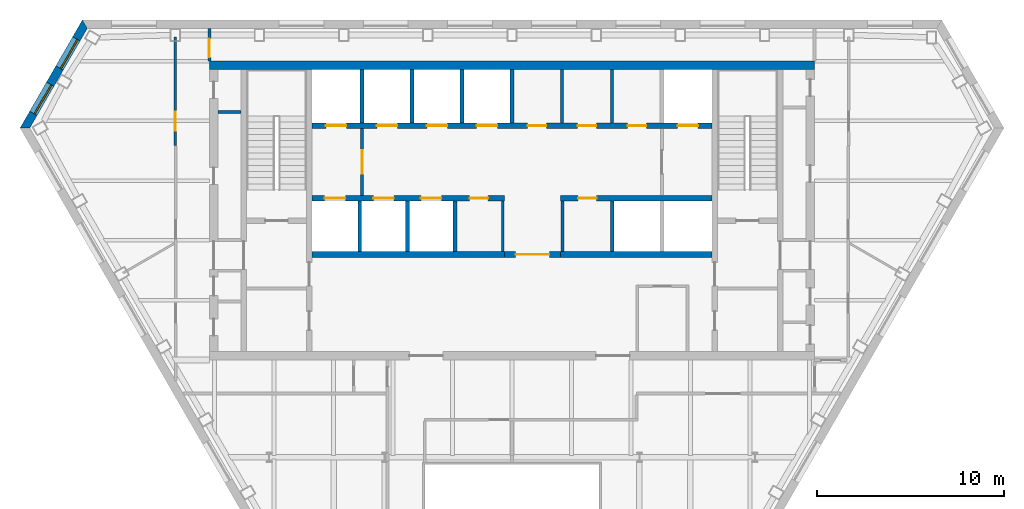
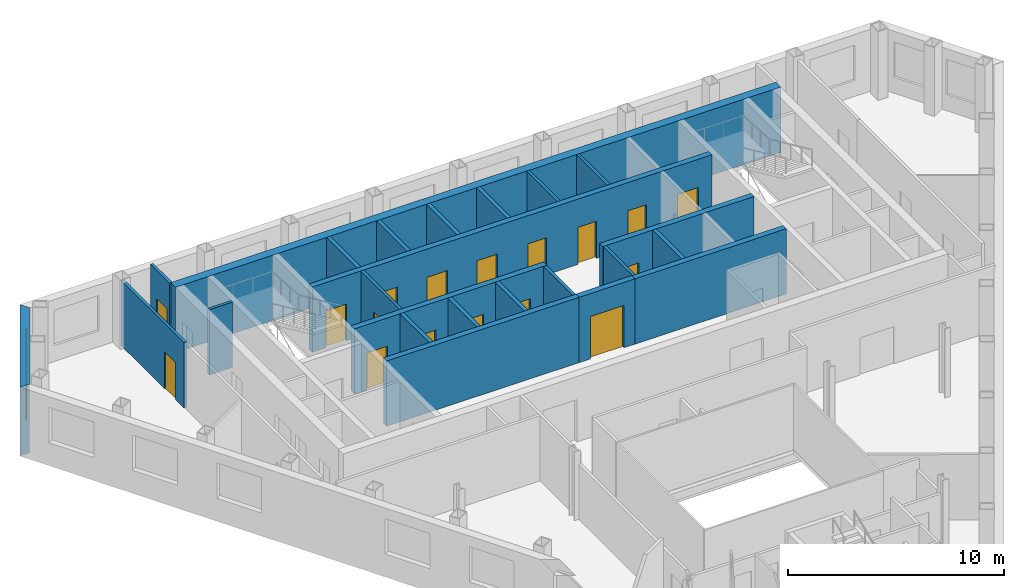
# One storey, part 6 of 10: 24 walls, 17 doors, 2 windows, 19 openings.
"""IFC4 building model written with IfcOpenShell, lengths in metres."""

from ifc_helpers import new_model, si_unit, direction, frame, frame_2d, origin, place, context, subcontext, project, spatial, polyline, rectangle, outline, extrude, material, layer, layer_set, type_object, element, fill, save


model = new_model("IFC4")

# Units and contexts
model_context = context("Model", 3, precision=1e-05, world=origin(), true_north=direction((0.0, 1.0)))
body_context = subcontext(model_context, "Body", "Model", "MODEL_VIEW")
ifc_project = project(units=[si_unit("LENGTHUNIT", "METRE"), si_unit("AREAUNIT", "SQUARE_METRE"), si_unit("VOLUMEUNIT", "CUBIC_METRE"), si_unit("PLANEANGLEUNIT", "RADIAN"), si_unit("MASSUNIT", "GRAM", prefix="KILO")], contexts=[model_context])

# Site, building, storey
site_placement = place(None, origin())
site = spatial("IfcSite", under=ifc_project, at=site_placement, CompositionType="ELEMENT")
building_placement = place(site_placement, origin())
building = spatial("IfcBuilding", under=site, at=building_placement, Name="Njiva Tower", CompositionType="ELEMENT")
storey_placement = place(building_placement, frame((0.0, 0.0, 231.6)))
storey = spatial("IfcBuildingStorey", under=building, at=storey_placement, Name="L52", CompositionType="ELEMENT", Elevation=231.6)

# Walls
ifc_material_1 = material(Name="Blockwork", Category="masonry")
ifc_layer_1 = layer(ifc_material_1, 0.15)
ifc_layer_set_1 = layer_set([ifc_layer_1], Name="Blockwork")
wall_type_1 = type_object("IfcWallType", Name="WT1 Compartment partition 150", PredefinedType="PARTITIONING", material=ifc_layer_set_1)
for number, where, z_axis, x_axis, name in (
    (1, (2.675, 14.7, 0.0), (0.0, 0.0, 1.0), (0.0, 1.0, 0.0), "Partition CN5"),
    (2, (5.35, 14.7, 0.0), (0.0, 0.0, 1.0), (0.0, 1.0, 0.0), "Partition CN6"),
):
    element("IfcWall", number, at=place(storey_placement, frame(where, z_axis=z_axis, x_axis=x_axis)), inside=storey, type_object=wall_type_1, Name=name, PredefinedType="PARTITIONING", context=body_context, shape_type="SweptSolid", body=[
        extrude(rectangle(XDim=2.85, YDim=0.15, at=frame_2d((1.425, 0.0))), origin(), (0.0, 0.0, 1.0), 3.7),
    ])
for number, where, z_axis, x_axis, name in (
    (3, (-0.5, 7.8, 0.0), (0.0, 0.0, 1.0), (0.0, 1.0, 0.0), "Partition CS4"),
    (4, (2.7, 7.8, 0.0), (0.0, 0.0, 1.0), (0.0, 1.0, 0.0), "Partition CS5"),
):
    element("IfcWall", number, at=place(storey_placement, frame(where, z_axis=z_axis, x_axis=x_axis)), inside=storey, type_object=wall_type_1, Name=name, PredefinedType="PARTITIONING", context=body_context, shape_type="SweptSolid", body=[
        extrude(rectangle(XDim=2.7, YDim=0.15, at=frame_2d((1.35, 0.0))), origin(), (0.0, 0.0, 1.0), 3.7),
    ])
ifc_material_2 = material(Name="Concrete C60/75", Category="concrete")
ifc_layer_2 = layer(ifc_material_2, 0.45)
ifc_layer_set_2 = layer_set([ifc_layer_2], Name="Concrete C60/75")
wall_type_2 = type_object("IfcWallType", Name="WT12 Core wall 450", PredefinedType="SHEAR", material=ifc_layer_set_2)
wall_1_placement = place(storey_placement, frame((-16.2, 17.775, 0.0), z_axis=(0.0, 0.0, 1.0), x_axis=(1.0, 0.0, 0.0)))
element("IfcWall", 5, at=wall_1_placement, inside=storey, type_object=wall_type_2, Name="Core wall north", PredefinedType="SHEAR", context=body_context, shape_type="SweptSolid", body=[
    extrude(rectangle(XDim=32.4, YDim=0.45, at=frame_2d((16.2, 0.0))), origin(), (0.0, 0.0, 1.0), 3.7),
])

# Wall, opening, door
ifc_layer_3 = layer(ifc_material_1, 0.15)
ifc_layer_set_3 = layer_set([ifc_layer_3], Name="Blockwork")
wall_type_3 = type_object("IfcWallType", Name="WT2 Lobby partition 150", PredefinedType="PARTITIONING", material=ifc_layer_set_3)
wall_2_placement = place(storey_placement, frame((-8.025, 10.8, 0.0), z_axis=(0.0, 0.0, 1.0), x_axis=(0.0, 1.0, 0.0)))
wall_2 = element("IfcWall", 6, at=wall_2_placement, inside=storey, type_object=wall_type_3, Name="Firefighting lobby wall A", PredefinedType="PARTITIONING", context=body_context, shape_type="SweptSolid", body=[
    extrude(rectangle(XDim=3.6, YDim=0.15, at=frame_2d((1.8, 0.0))), origin(), (0.0, 0.0, 1.0), 3.7),
])
opening_1_placement = place(wall_2_placement, frame((1.175, 0.0, 0.0)))
opening_1 = element("IfcOpeningElement", 7, at=opening_1_placement, cuts=wall_2, Name="Opening S17-D914", PredefinedType="OPENING", context=body_context, shape_type="SweptSolid", body=[
    extrude(rectangle(XDim=1.25, YDim=2.1, at=frame_2d((0.625, 1.05))), frame((0.0, 0.085, 0.0), z_axis=(0.0, -1.0, 0.0), x_axis=(1.0, 0.0, 0.0)), (0.0, 0.0, 1.0), 0.17),
])
ifc_material_3 = material(Name="Glazed steel fire door", Category="steel")
door_type_1 = type_object("IfcDoorType", Name="D8 Vestibule corridor door 1250x2100 glazed", OperationType="SINGLE_SWING_LEFT", PredefinedType="DOOR", material=ifc_material_3)
door_1_placement = place(opening_1_placement, origin())
door_1 = element("IfcDoor", 8, at=door_1_placement, inside=storey, type_object=door_type_1, Name="Stair vestibule corridor door", OperationType="SINGLE_SWING_RIGHT", OverallHeight=2.1, OverallWidth=1.25, PredefinedType="DOOR", context=body_context, shape_type="SweptSolid", body=[
    extrude(rectangle(XDim=1.25, YDim=2.1, at=frame_2d((0.625, 1.05))), frame((0.0, 0.025, 0.0), z_axis=(0.0, -1.0, 0.0), x_axis=(1.0, 0.0, 0.0)), (0.0, 0.0, 1.0), 0.05),
])
fill(opening_1, door_1)

ifc_material_4 = material(Name="Gypsum board on steel studs", Category="gypsum")
ifc_layer_4 = layer(ifc_material_4, 0.15)
ifc_layer_set_4 = layer_set([ifc_layer_4], Name="Gypsum board on steel studs")
wall_type_4 = type_object("IfcWallType", Name="WT21 Compartment wall 150", PredefinedType="PARTITIONING", material=ifc_layer_set_4)
wall_3_placement = place(storey_placement, frame((-18.027, 13.476, 0.0), z_axis=(0.0, 0.0, 1.0), x_axis=(0.0, 1.0, 0.0)))
wall_3 = element("IfcWall", 9, at=wall_3_placement, inside=storey, type_object=wall_type_4, Name="Partition S17-P002", PredefinedType="PARTITIONING", context=body_context, shape_type="SweptSolid", body=[
    extrude(rectangle(XDim=5.824, YDim=0.15, at=frame_2d((2.912, 0.0))), origin(), (0.0, 0.0, 1.0), 3.7),
])
opening_2_placement = place(wall_3_placement, frame((0.803, 0.0, 0.0)))
opening_2 = element("IfcOpeningElement", 10, at=opening_2_placement, cuts=wall_3, Name="Opening S17-D001", PredefinedType="OPENING", context=body_context, shape_type="SweptSolid", body=[
    extrude(rectangle(XDim=1.0, YDim=2.1, at=frame_2d((0.5, 1.05))), frame((0.0, 0.085, 0.0), z_axis=(0.0, -1.0, 0.0), x_axis=(1.0, 0.0, 0.0)), (0.0, 0.0, 1.0), 0.17),
])
ifc_material_5 = material(Name="Steel fire door set", Category="steel")
door_type_2 = type_object("IfcDoorType", Name="D37 Fire door 1000x2100", OperationType="SINGLE_SWING_LEFT", PredefinedType="DOOR", material=ifc_material_5)
door_2_placement = place(opening_2_placement, origin())
door_2 = element("IfcDoor", 11, at=door_2_placement, inside=storey, type_object=door_type_2, Name="Door S17-D001", OperationType="SINGLE_SWING_RIGHT", OverallHeight=2.1, OverallWidth=1.0, PredefinedType="DOOR", context=body_context, shape_type="SweptSolid", body=[
    extrude(rectangle(XDim=1.0, YDim=2.1, at=frame_2d((0.5, 1.05))), frame((0.0, 0.025, 0.0), z_axis=(0.0, -1.0, 0.0), x_axis=(1.0, 0.0, 0.0)), (0.0, 0.0, 1.0), 0.05),
])
fill(opening_2, door_2)

wall_4_placement = place(storey_placement, frame((-16.2, 18.0, 0.0), z_axis=(0.0, 0.0, 1.0), x_axis=(0.0, 1.0, 0.0)))
wall_4 = element("IfcWall", 12, at=wall_4_placement, inside=storey, type_object=wall_type_4, Name="Partition S17-P005", PredefinedType="PARTITIONING", context=body_context, shape_type="SweptSolid", body=[
    extrude(rectangle(XDim=1.75, YDim=0.15, at=frame_2d((0.875, 0.0))), origin(), (0.0, 0.0, 1.0), 3.7),
])
opening_3_placement = place(wall_4_placement, frame((0.2, 0.0, 0.0)))
opening_3 = element("IfcOpeningElement", 13, at=opening_3_placement, cuts=wall_4, Name="Opening S17-D004", PredefinedType="OPENING", context=body_context, shape_type="SweptSolid", body=[
    extrude(rectangle(XDim=1.0, YDim=2.1, at=frame_2d((0.5, 1.05))), frame((0.0, 0.085, 0.0), z_axis=(0.0, -1.0, 0.0), x_axis=(1.0, 0.0, 0.0)), (0.0, 0.0, 1.0), 0.17),
])
door_3_placement = place(opening_3_placement, origin())
door_3 = element("IfcDoor", 14, at=door_3_placement, inside=storey, type_object=door_type_2, Name="Door S17-D004", OperationType="SINGLE_SWING_LEFT", OverallHeight=2.1, OverallWidth=1.0, PredefinedType="DOOR", context=body_context, shape_type="SweptSolid", body=[
    extrude(rectangle(XDim=1.0, YDim=2.1, at=frame_2d((0.5, 1.05))), frame((0.0, 0.025, 0.0), z_axis=(0.0, -1.0, 0.0), x_axis=(1.0, 0.0, 0.0)), (0.0, 0.0, 1.0), 0.05),
])
fill(opening_3, door_3)

# Wall
ifc_layer_5 = layer(ifc_material_1, 0.15)
ifc_layer_set_5 = layer_set([ifc_layer_5], Name="Blockwork")
wall_type_5 = type_object("IfcWallType", Name="WT3 Riser partition 150", PredefinedType="PARTITIONING", material=ifc_layer_set_5)
wall_5_placement = place(storey_placement, frame((-15.75, 15.2772, 0.0), z_axis=(0.0, 0.0, 1.0), x_axis=(1.0, 0.0, 0.0)))
element("IfcWall", 15, at=wall_5_placement, inside=storey, type_object=wall_type_5, Name="Partition strip W10", PredefinedType="PARTITIONING", context=body_context, shape_type="SweptSolid", body=[
    extrude(rectangle(XDim=1.25, YDim=0.15, at=frame_2d((0.625, 0.0))), origin(), (0.0, 0.0, 1.0), 3.7),
])

# Wall, opening, door
ifc_layer_6 = layer(ifc_material_1, 0.3)
ifc_layer_set_6 = layer_set([ifc_layer_6], Name="Blockwork")
wall_type_6 = type_object("IfcWallType", Name="WT5 Lobby partition 300", PredefinedType="PARTITIONING", material=ifc_layer_set_6)
wall_6_placement = place(storey_placement, frame((-0.4, 7.65, 0.0), z_axis=(0.0, 0.0, 1.0), x_axis=(1.0, 0.0, 0.0)))
wall_6 = element("IfcWall", 16, at=wall_6_placement, inside=storey, type_object=wall_type_6, Name="Lift lobby screen wall", PredefinedType="PARTITIONING", context=body_context, shape_type="SweptSolid", body=[
    extrude(rectangle(XDim=3.0, YDim=0.3, at=frame_2d((1.5, 0.0))), origin(), (0.0, 0.0, 1.0), 3.7),
])
opening_4_placement = place(wall_6_placement, frame((0.6, 0.0, 0.0)))
opening_4 = element("IfcOpeningElement", 17, at=opening_4_placement, cuts=wall_6, Name="Opening S17-D935", PredefinedType="OPENING", context=body_context, shape_type="SweptSolid", body=[
    extrude(rectangle(XDim=1.8, YDim=2.4, at=frame_2d((0.9, 1.2))), frame((0.0, 0.16, 0.0), z_axis=(0.0, -1.0, 0.0), x_axis=(1.0, 0.0, 0.0)), (0.0, 0.0, 1.0), 0.32),
])
ifc_material_6 = material(Name="Steel and glass door", Category="steel")
door_type_3 = type_object("IfcDoorType", Name="D3 Core entrance door 1800x2400", OperationType="DOUBLE_DOOR_SINGLE_SWING", PredefinedType="DOOR", material=ifc_material_6)
door_4_placement = place(opening_4_placement, origin())
door_4 = element("IfcDoor", 18, at=door_4_placement, inside=storey, type_object=door_type_3, Name="Core entrance door", OperationType="DOUBLE_DOOR_SINGLE_SWING", OverallHeight=2.4, OverallWidth=1.8, PredefinedType="DOOR", context=body_context, shape_type="SweptSolid", body=[
    extrude(rectangle(XDim=1.8, YDim=2.4, at=frame_2d((0.9, 1.2))), frame((0.0, 0.025, 0.0), z_axis=(0.0, -1.0, 0.0), x_axis=(1.0, 0.0, 0.0)), (0.0, 0.0, 1.0), 0.05),
])
fill(opening_4, door_4)

# Walls
ifc_material_7 = material(Name="Concrete C40/50", Category="concrete")
ifc_layer_7 = layer(ifc_material_7, 0.2)
ifc_layer_set_7 = layer_set([ifc_layer_7], Name="Concrete C40/50")
wall_type_7 = type_object("IfcWallType", Name="WT6 Lift shaft wall 200", PredefinedType="SHEAR", material=ifc_layer_set_7)
for number, where, z_axis, x_axis, name in (
    (19, (-8.025, 14.7, 0.0), (0.0, 0.0, 1.0), (0.0, 1.0, 0.0), "Shaft wall CN1"),
    (20, (-5.35, 14.7, 0.0), (0.0, 0.0, 1.0), (0.0, 1.0, 0.0), "Shaft wall CN2"),
    (21, (-2.675, 14.7, 0.0), (0.0, 0.0, 1.0), (0.0, 1.0, 0.0), "Shaft wall CN3"),
    (22, (0.0, 14.7, 0.0), (0.0, 0.0, 1.0), (0.0, 1.0, 0.0), "Shaft wall CN4"),
):
    element("IfcWall", number, at=place(storey_placement, frame(where, z_axis=z_axis, x_axis=x_axis)), inside=storey, type_object=wall_type_7, Name=name, PredefinedType="SHEAR", context=body_context, shape_type="SweptSolid", body=[
        extrude(rectangle(XDim=2.85, YDim=0.2, at=frame_2d((1.425, 0.0))), origin(), (0.0, 0.0, 1.0), 3.7),
    ])
for number, where, z_axis, x_axis, name in (
    (23, (-8.15, 7.8, 0.0), (0.0, 0.0, 1.0), (0.0, 1.0, 0.0), "Shaft wall CS1"),
    (24, (-5.6, 7.8, 0.0), (0.0, 0.0, 1.0), (0.0, 1.0, 0.0), "Shaft wall CS2"),
    (25, (-3.05, 7.8, 0.0), (0.0, 0.0, 1.0), (0.0, 1.0, 0.0), "Shaft wall CS3"),
    (26, (5.3667, 7.8, 0.0), (0.0, 0.0, 1.0), (0.0, 1.0, 0.0), "Shaft wall CS6"),
):
    element("IfcWall", number, at=place(storey_placement, frame(where, z_axis=z_axis, x_axis=x_axis)), inside=storey, type_object=wall_type_7, Name=name, PredefinedType="SHEAR", context=body_context, shape_type="SweptSolid", body=[
        extrude(rectangle(XDim=2.7, YDim=0.2, at=frame_2d((1.35, 0.0))), origin(), (0.0, 0.0, 1.0), 3.7),
    ])

# Wall, openings, doors
ifc_layer_8 = layer(ifc_material_7, 0.3)
ifc_layer_set_8 = layer_set([ifc_layer_8], Name="Concrete C40/50")
wall_type_8 = type_object("IfcWallType", Name="WT7 Lift shaft wall 300", PredefinedType="SHEAR", material=ifc_layer_set_8)
wall_7_placement = place(storey_placement, frame((-10.7, 14.55, 0.0), z_axis=(0.0, 0.0, 1.0), x_axis=(1.0, 0.0, 0.0)))
wall_7 = element("IfcWall", 27, at=wall_7_placement, inside=storey, type_object=wall_type_8, Name="Shaft wall north row lobby side", PredefinedType="SHEAR", context=body_context, shape_type="SweptSolid", body=[
    extrude(rectangle(XDim=21.4, YDim=0.3, at=frame_2d((10.7, 0.0))), origin(), (0.0, 0.0, 1.0), 3.7),
])
opening_5_placement = place(wall_7_placement, frame((0.7375, 0.0, 0.0)))
opening_5 = element("IfcOpeningElement", 28, at=opening_5_placement, cuts=wall_7, Name="Opening S17-D901", PredefinedType="OPENING", context=body_context, shape_type="SweptSolid", body=[
    extrude(rectangle(XDim=1.1, YDim=2.1, at=frame_2d((0.55, 1.05))), frame((0.0, 0.16, 0.0), z_axis=(0.0, -1.0, 0.0), x_axis=(1.0, 0.0, 0.0)), (0.0, 0.0, 1.0), 0.32),
])
opening_6_placement = place(wall_7_placement, frame((3.4625, 0.0, 0.0)))
opening_6 = element("IfcOpeningElement", 29, at=opening_6_placement, cuts=wall_7, Name="Opening S17-D902", PredefinedType="OPENING", context=body_context, shape_type="SweptSolid", body=[
    extrude(rectangle(XDim=1.1, YDim=2.1, at=frame_2d((0.55, 1.05))), frame((0.0, 0.16, 0.0), z_axis=(0.0, -1.0, 0.0), x_axis=(1.0, 0.0, 0.0)), (0.0, 0.0, 1.0), 0.32),
])
opening_7_placement = place(wall_7_placement, frame((6.1375, 0.0, 0.0)))
opening_7 = element("IfcOpeningElement", 30, at=opening_7_placement, cuts=wall_7, Name="Opening S17-D903", PredefinedType="OPENING", context=body_context, shape_type="SweptSolid", body=[
    extrude(rectangle(XDim=1.1, YDim=2.1, at=frame_2d((0.55, 1.05))), frame((0.0, 0.16, 0.0), z_axis=(0.0, -1.0, 0.0), x_axis=(1.0, 0.0, 0.0)), (0.0, 0.0, 1.0), 0.32),
])
opening_8_placement = place(wall_7_placement, frame((8.8125, 0.0, 0.0)))
opening_8 = element("IfcOpeningElement", 31, at=opening_8_placement, cuts=wall_7, Name="Opening S17-D904", PredefinedType="OPENING", context=body_context, shape_type="SweptSolid", body=[
    extrude(rectangle(XDim=1.1, YDim=2.1, at=frame_2d((0.55, 1.05))), frame((0.0, 0.16, 0.0), z_axis=(0.0, -1.0, 0.0), x_axis=(1.0, 0.0, 0.0)), (0.0, 0.0, 1.0), 0.32),
])
opening_9_placement = place(wall_7_placement, frame((19.5625, 0.0, 0.0)))
opening_9 = element("IfcOpeningElement", 32, at=opening_9_placement, cuts=wall_7, Name="Opening S17-D905", PredefinedType="OPENING", context=body_context, shape_type="SweptSolid", body=[
    extrude(rectangle(XDim=1.1, YDim=2.1, at=frame_2d((0.55, 1.05))), frame((0.0, 0.16, 0.0), z_axis=(0.0, -1.0, 0.0), x_axis=(1.0, 0.0, 0.0)), (0.0, 0.0, 1.0), 0.32),
])
opening_10_placement = place(wall_7_placement, frame((11.5375, 0.0, 0.0)))
opening_10 = element("IfcOpeningElement", 33, at=opening_10_placement, cuts=wall_7, Name="Opening S17-D909", PredefinedType="OPENING", context=body_context, shape_type="SweptSolid", body=[
    extrude(rectangle(XDim=1.0, YDim=2.1, at=frame_2d((0.5, 1.05))), frame((0.0, 0.16, 0.0), z_axis=(0.0, -1.0, 0.0), x_axis=(1.0, 0.0, 0.0)), (0.0, 0.0, 1.0), 0.32),
])
opening_11_placement = place(wall_7_placement, frame((14.2125, 0.0, 0.0)))
opening_11 = element("IfcOpeningElement", 34, at=opening_11_placement, cuts=wall_7, Name="Opening S17-D910", PredefinedType="OPENING", context=body_context, shape_type="SweptSolid", body=[
    extrude(rectangle(XDim=1.0, YDim=2.1, at=frame_2d((0.5, 1.05))), frame((0.0, 0.16, 0.0), z_axis=(0.0, -1.0, 0.0), x_axis=(1.0, 0.0, 0.0)), (0.0, 0.0, 1.0), 0.32),
])
opening_12_placement = place(wall_7_placement, frame((16.8875, 0.0, 0.0)))
opening_12 = element("IfcOpeningElement", 35, at=opening_12_placement, cuts=wall_7, Name="Opening S17-D911", PredefinedType="OPENING", context=body_context, shape_type="SweptSolid", body=[
    extrude(rectangle(XDim=1.0, YDim=2.1, at=frame_2d((0.5, 1.05))), frame((0.0, 0.16, 0.0), z_axis=(0.0, -1.0, 0.0), x_axis=(1.0, 0.0, 0.0)), (0.0, 0.0, 1.0), 0.32),
])
ifc_material_8 = material(Name="Steel door, painted", Category="steel")
door_type_4 = type_object("IfcDoorType", Name="D5 Steel door 1000x2100", OperationType="SINGLE_SWING_LEFT", PredefinedType="DOOR", material=ifc_material_8)
door_5_placement = place(opening_10_placement, origin())
door_5 = element("IfcDoor", 36, at=door_5_placement, inside=storey, type_object=door_type_4, Name="Business centre door", OperationType="SINGLE_SWING_LEFT", OverallHeight=2.1, OverallWidth=1.0, PredefinedType="DOOR", context=body_context, shape_type="SweptSolid", body=[
    extrude(rectangle(XDim=1.0, YDim=2.1, at=frame_2d((0.5, 1.05))), frame((0.0, 0.025, 0.0), z_axis=(0.0, -1.0, 0.0), x_axis=(1.0, 0.0, 0.0)), (0.0, 0.0, 1.0), 0.05),
])
fill(opening_10, door_5)
door_6_placement = place(opening_11_placement, origin())
door_6 = element("IfcDoor", 37, at=door_6_placement, inside=storey, type_object=door_type_4, Name="Meeting room door", OperationType="SINGLE_SWING_LEFT", OverallHeight=2.1, OverallWidth=1.0, PredefinedType="DOOR", context=body_context, shape_type="SweptSolid", body=[
    extrude(rectangle(XDim=1.0, YDim=2.1, at=frame_2d((0.5, 1.05))), frame((0.0, 0.025, 0.0), z_axis=(0.0, -1.0, 0.0), x_axis=(1.0, 0.0, 0.0)), (0.0, 0.0, 1.0), 0.05),
])
fill(opening_11, door_6)
door_7_placement = place(opening_12_placement, origin())
door_7 = element("IfcDoor", 38, at=door_7_placement, inside=storey, type_object=door_type_4, Name="Breakout room door", OperationType="SINGLE_SWING_LEFT", OverallHeight=2.1, OverallWidth=1.0, PredefinedType="DOOR", context=body_context, shape_type="SweptSolid", body=[
    extrude(rectangle(XDim=1.0, YDim=2.1, at=frame_2d((0.5, 1.05))), frame((0.0, 0.025, 0.0), z_axis=(0.0, -1.0, 0.0), x_axis=(1.0, 0.0, 0.0)), (0.0, 0.0, 1.0), 0.05),
])
fill(opening_12, door_7)
ifc_material_9 = material(Name="Stainless steel sliding door", Category="steel")
door_type_5 = type_object("IfcDoorType", Name="LD Lift landing door 1100x2100", OperationType="SLIDING_TO_LEFT", PredefinedType="DOOR", material=ifc_material_9)
door_8_placement = place(opening_5_placement, origin())
door_8 = element("IfcDoor", 39, at=door_8_placement, inside=storey, type_object=door_type_5, Name="Lift landing door FF1", OperationType="SLIDING_TO_LEFT", OverallHeight=2.1, OverallWidth=1.1, PredefinedType="DOOR", context=body_context, shape_type="SweptSolid", body=[
    extrude(rectangle(XDim=1.1, YDim=2.1, at=frame_2d((0.55, 1.05))), frame((0.0, 0.025, 0.0), z_axis=(0.0, -1.0, 0.0), x_axis=(1.0, 0.0, 0.0)), (0.0, 0.0, 1.0), 0.05),
])
fill(opening_5, door_8)
door_9_placement = place(opening_6_placement, origin())
door_9 = element("IfcDoor", 40, at=door_9_placement, inside=storey, type_object=door_type_5, Name="Lift landing door MB4", OperationType="SLIDING_TO_LEFT", OverallHeight=2.1, OverallWidth=1.1, PredefinedType="DOOR", context=body_context, shape_type="SweptSolid", body=[
    extrude(rectangle(XDim=1.1, YDim=2.1, at=frame_2d((0.55, 1.05))), frame((0.0, 0.025, 0.0), z_axis=(0.0, -1.0, 0.0), x_axis=(1.0, 0.0, 0.0)), (0.0, 0.0, 1.0), 0.05),
])
fill(opening_6, door_9)
door_10_placement = place(opening_7_placement, origin())
door_10 = element("IfcDoor", 41, at=door_10_placement, inside=storey, type_object=door_type_5, Name="Lift landing door MB5", OperationType="SLIDING_TO_LEFT", OverallHeight=2.1, OverallWidth=1.1, PredefinedType="DOOR", context=body_context, shape_type="SweptSolid", body=[
    extrude(rectangle(XDim=1.1, YDim=2.1, at=frame_2d((0.55, 1.05))), frame((0.0, 0.025, 0.0), z_axis=(0.0, -1.0, 0.0), x_axis=(1.0, 0.0, 0.0)), (0.0, 0.0, 1.0), 0.05),
])
fill(opening_7, door_10)
door_11_placement = place(opening_8_placement, origin())
door_11 = element("IfcDoor", 42, at=door_11_placement, inside=storey, type_object=door_type_5, Name="Lift landing door MB6", OperationType="SLIDING_TO_LEFT", OverallHeight=2.1, OverallWidth=1.1, PredefinedType="DOOR", context=body_context, shape_type="SweptSolid", body=[
    extrude(rectangle(XDim=1.1, YDim=2.1, at=frame_2d((0.55, 1.05))), frame((0.0, 0.025, 0.0), z_axis=(0.0, -1.0, 0.0), x_axis=(1.0, 0.0, 0.0)), (0.0, 0.0, 1.0), 0.05),
])
fill(opening_8, door_11)
door_12_placement = place(opening_9_placement, origin())
door_12 = element("IfcDoor", 43, at=door_12_placement, inside=storey, type_object=door_type_5, Name="Lift landing door FF2", OperationType="SLIDING_TO_LEFT", OverallHeight=2.1, OverallWidth=1.1, PredefinedType="DOOR", context=body_context, shape_type="SweptSolid", body=[
    extrude(rectangle(XDim=1.1, YDim=2.1, at=frame_2d((0.55, 1.05))), frame((0.0, 0.025, 0.0), z_axis=(0.0, -1.0, 0.0), x_axis=(1.0, 0.0, 0.0)), (0.0, 0.0, 1.0), 0.05),
])
fill(opening_9, door_12)

wall_8_placement = place(storey_placement, frame((-10.7, 10.65, 0.0), z_axis=(0.0, 0.0, 1.0), x_axis=(1.0, 0.0, 0.0)))
wall_8 = element("IfcWall", 44, at=wall_8_placement, inside=storey, type_object=wall_type_8, Name="Shaft wall south row lobby side W", PredefinedType="SHEAR", context=body_context, shape_type="SweptSolid", body=[
    extrude(rectangle(XDim=10.3, YDim=0.3, at=frame_2d((5.15, 0.0))), origin(), (0.0, 0.0, 1.0), 3.7),
])
opening_13_placement = place(wall_8_placement, frame((0.675, 0.0, 0.0)))
opening_13 = element("IfcOpeningElement", 45, at=opening_13_placement, cuts=wall_8, Name="Opening S17-D906", PredefinedType="OPENING", context=body_context, shape_type="SweptSolid", body=[
    extrude(rectangle(XDim=1.1, YDim=2.1, at=frame_2d((0.55, 1.05))), frame((0.0, 0.16, 0.0), z_axis=(0.0, -1.0, 0.0), x_axis=(1.0, 0.0, 0.0)), (0.0, 0.0, 1.0), 0.32),
])
opening_14_placement = place(wall_8_placement, frame((3.275, 0.0, 0.0)))
opening_14 = element("IfcOpeningElement", 46, at=opening_14_placement, cuts=wall_8, Name="Opening S17-D907", PredefinedType="OPENING", context=body_context, shape_type="SweptSolid", body=[
    extrude(rectangle(XDim=1.1, YDim=2.1, at=frame_2d((0.55, 1.05))), frame((0.0, 0.16, 0.0), z_axis=(0.0, -1.0, 0.0), x_axis=(1.0, 0.0, 0.0)), (0.0, 0.0, 1.0), 0.32),
])
opening_15_placement = place(wall_8_placement, frame((5.825, 0.0, 0.0)))
opening_15 = element("IfcOpeningElement", 47, at=opening_15_placement, cuts=wall_8, Name="Opening S17-D908", PredefinedType="OPENING", context=body_context, shape_type="SweptSolid", body=[
    extrude(rectangle(XDim=1.1, YDim=2.1, at=frame_2d((0.55, 1.05))), frame((0.0, 0.16, 0.0), z_axis=(0.0, -1.0, 0.0), x_axis=(1.0, 0.0, 0.0)), (0.0, 0.0, 1.0), 0.32),
])
opening_16_placement = place(wall_8_placement, frame((8.425, 0.0, 0.0)))
opening_16 = element("IfcOpeningElement", 48, at=opening_16_placement, cuts=wall_8, Name="Opening S17-D912", PredefinedType="OPENING", context=body_context, shape_type="SweptSolid", body=[
    extrude(rectangle(XDim=1.0, YDim=2.1, at=frame_2d((0.5, 1.05))), frame((0.0, 0.16, 0.0), z_axis=(0.0, -1.0, 0.0), x_axis=(1.0, 0.0, 0.0)), (0.0, 0.0, 1.0), 0.32),
])
door_13_placement = place(opening_16_placement, origin())
door_13 = element("IfcDoor", 49, at=door_13_placement, inside=storey, type_object=door_type_4, Name="Breakout room door", OperationType="SINGLE_SWING_RIGHT", OverallHeight=2.1, OverallWidth=1.0, PredefinedType="DOOR", context=body_context, shape_type="SweptSolid", body=[
    extrude(rectangle(XDim=1.0, YDim=2.1, at=frame_2d((0.5, 1.05))), frame((0.0, 0.025, 0.0), z_axis=(0.0, -1.0, 0.0), x_axis=(1.0, 0.0, 0.0)), (0.0, 0.0, 1.0), 0.05),
])
fill(opening_16, door_13)
door_14_placement = place(opening_13_placement, origin())
door_14 = element("IfcDoor", 50, at=door_14_placement, inside=storey, type_object=door_type_5, Name="Lift landing door MB1", OperationType="SLIDING_TO_LEFT", OverallHeight=2.1, OverallWidth=1.1, PredefinedType="DOOR", context=body_context, shape_type="SweptSolid", body=[
    extrude(rectangle(XDim=1.1, YDim=2.1, at=frame_2d((0.55, 1.05))), frame((0.0, 0.025, 0.0), z_axis=(0.0, -1.0, 0.0), x_axis=(1.0, 0.0, 0.0)), (0.0, 0.0, 1.0), 0.05),
])
fill(opening_13, door_14)
door_15_placement = place(opening_14_placement, origin())
door_15 = element("IfcDoor", 51, at=door_15_placement, inside=storey, type_object=door_type_5, Name="Lift landing door MB2", OperationType="SLIDING_TO_LEFT", OverallHeight=2.1, OverallWidth=1.1, PredefinedType="DOOR", context=body_context, shape_type="SweptSolid", body=[
    extrude(rectangle(XDim=1.1, YDim=2.1, at=frame_2d((0.55, 1.05))), frame((0.0, 0.025, 0.0), z_axis=(0.0, -1.0, 0.0), x_axis=(1.0, 0.0, 0.0)), (0.0, 0.0, 1.0), 0.05),
])
fill(opening_14, door_15)
door_16_placement = place(opening_15_placement, origin())
door_16 = element("IfcDoor", 52, at=door_16_placement, inside=storey, type_object=door_type_5, Name="Lift landing door MB3", OperationType="SLIDING_TO_LEFT", OverallHeight=2.1, OverallWidth=1.1, PredefinedType="DOOR", context=body_context, shape_type="SweptSolid", body=[
    extrude(rectangle(XDim=1.1, YDim=2.1, at=frame_2d((0.55, 1.05))), frame((0.0, 0.025, 0.0), z_axis=(0.0, -1.0, 0.0), x_axis=(1.0, 0.0, 0.0)), (0.0, 0.0, 1.0), 0.05),
])
fill(opening_15, door_16)

# Wall
wall_9_placement = place(storey_placement, frame((-10.7, 7.65, 0.0), z_axis=(0.0, 0.0, 1.0), x_axis=(1.0, 0.0, 0.0)))
element("IfcWall", 53, at=wall_9_placement, inside=storey, type_object=wall_type_8, Name="Shaft wall south row back W", PredefinedType="SHEAR", context=body_context, shape_type="SweptSolid", body=[
    extrude(rectangle(XDim=10.3, YDim=0.3, at=frame_2d((5.15, 0.0))), origin(), (0.0, 0.0, 1.0), 3.7),
])

# Wall, opening, door
wall_10_placement = place(storey_placement, frame((2.6, 10.65, 0.0), z_axis=(0.0, 0.0, 1.0), x_axis=(1.0, 0.0, 0.0)))
wall_10 = element("IfcWall", 54, at=wall_10_placement, inside=storey, type_object=wall_type_8, Name="Shaft wall south row lobby side E", PredefinedType="SHEAR", context=body_context, shape_type="SweptSolid", body=[
    extrude(rectangle(XDim=8.1, YDim=0.3, at=frame_2d((4.05, 0.0))), origin(), (0.0, 0.0, 1.0), 3.7),
])
opening_17_placement = place(wall_10_placement, frame((0.9334, 0.0, 0.0)))
opening_17 = element("IfcOpeningElement", 55, at=opening_17_placement, cuts=wall_10, Name="Opening S17-D913", PredefinedType="OPENING", context=body_context, shape_type="SweptSolid", body=[
    extrude(rectangle(XDim=1.0, YDim=2.1, at=frame_2d((0.5, 1.05))), frame((0.0, 0.16, 0.0), z_axis=(0.0, -1.0, 0.0), x_axis=(1.0, 0.0, 0.0)), (0.0, 0.0, 1.0), 0.32),
])
door_17_placement = place(opening_17_placement, origin())
door_17 = element("IfcDoor", 56, at=door_17_placement, inside=storey, type_object=door_type_4, Name="Reading room door", OperationType="SINGLE_SWING_LEFT", OverallHeight=2.1, OverallWidth=1.0, PredefinedType="DOOR", context=body_context, shape_type="SweptSolid", body=[
    extrude(rectangle(XDim=1.0, YDim=2.1, at=frame_2d((0.5, 1.05))), frame((0.0, 0.025, 0.0), z_axis=(0.0, -1.0, 0.0), x_axis=(1.0, 0.0, 0.0)), (0.0, 0.0, 1.0), 0.05),
])
fill(opening_17, door_17)

# Wall
wall_11_placement = place(storey_placement, frame((2.6, 7.65, 0.0), z_axis=(0.0, 0.0, 1.0), x_axis=(1.0, 0.0, 0.0)))
element("IfcWall", 57, at=wall_11_placement, inside=storey, type_object=wall_type_8, Name="Shaft wall south row back E", PredefinedType="SHEAR", context=body_context, shape_type="SweptSolid", body=[
    extrude(rectangle(XDim=8.1, YDim=0.3, at=frame_2d((4.05, 0.0))), origin(), (0.0, 0.0, 1.0), 3.7),
])

# Wall, openings, windows
ifc_material_10 = material(Name="Brick masonry, buff", Category="masonry")
ifc_layer_9 = layer(ifc_material_10, 0.45)
ifc_layer_set_9 = layer_set([ifc_layer_9], Name="Brick masonry, buff")
wall_type_9 = type_object("IfcWallType", Name="WT94 Brick pier and spandrel wall 450, buff", PredefinedType="SOLIDWALL", material=ifc_layer_set_9)
wall_12_placement = place(storey_placement, frame((-22.8688, 19.9772, -0.4), z_axis=(0.0, 0.0, 1.0), x_axis=(-0.499997052475, -0.866027105532, 0.0)))
wall_12 = element("IfcWall", 58, at=wall_12_placement, inside=storey, type_object=wall_type_9, Name="Facade wall NW", PredefinedType="SOLIDWALL", context=body_context, shape_type="SweptSolid", body=[
    extrude(outline(polyline([(-0.1299, -0.225), (6.5501, -0.225), (6.2903, 0.225), (0.1299, 0.225), (-0.1299, -0.225)])), origin(), (0.0, 0.0, 1.0), 3.9),
])
opening_18_placement = place(wall_12_placement, frame((0.9094, 0.0, 1.3)))
opening_18 = element("IfcOpeningElement", 59, at=opening_18_placement, cuts=wall_12, Name="Opening S17-W09", PredefinedType="OPENING", context=body_context, shape_type="SweptSolid", body=[
    extrude(rectangle(XDim=1.8, YDim=2.0, at=frame_2d((0.9, 1.0))), frame((0.0, 0.235, 0.0), z_axis=(0.0, -1.0, 0.0), x_axis=(1.0, 0.0, 0.0)), (0.0, 0.0, 1.0), 0.47),
])
opening_19_placement = place(wall_12_placement, frame((3.7107, 0.0, 1.3)))
opening_19 = element("IfcOpeningElement", 60, at=opening_19_placement, cuts=wall_12, Name="Opening S17-W10", PredefinedType="OPENING", context=body_context, shape_type="SweptSolid", body=[
    extrude(rectangle(XDim=1.8, YDim=2.0, at=frame_2d((0.9, 1.0))), frame((0.0, 0.235, 0.0), z_axis=(0.0, -1.0, 0.0), x_axis=(1.0, 0.0, 0.0)), (0.0, 0.0, 1.0), 0.47),
])
ifc_material_11 = material(Name="Clear glazing in aluminium frame", Category="aluminium")
window_type = type_object("IfcWindowType", Name="W94 Deep-set window 1800x2000", PartitioningType="SINGLE_PANEL", PredefinedType="WINDOW", material=ifc_material_11)
window_1_placement = place(opening_18_placement, origin())
window_1 = element("IfcWindow", 61, at=window_1_placement, inside=storey, type_object=window_type, Name="Window", OverallHeight=2.0, OverallWidth=1.8, PartitioningType="SINGLE_PANEL", PredefinedType="WINDOW", context=body_context, shape_type="SweptSolid", body=[
    extrude(rectangle(XDim=1.8, YDim=2.0, at=frame_2d((0.9, 1.0))), frame((0.0, 0.105, 0.0), z_axis=(0.0, -1.0, 0.0), x_axis=(1.0, 0.0, 0.0)), (0.0, 0.0, 1.0), 0.06),
])
fill(opening_18, window_1)
window_2_placement = place(opening_19_placement, origin())
window_2 = element("IfcWindow", 62, at=window_2_placement, inside=storey, type_object=window_type, Name="Window", OverallHeight=2.0, OverallWidth=1.8, PartitioningType="SINGLE_PANEL", PredefinedType="WINDOW", context=body_context, shape_type="SweptSolid", body=[
    extrude(rectangle(XDim=1.8, YDim=2.0, at=frame_2d((0.9, 1.0))), frame((0.0, 0.105, 0.0), z_axis=(0.0, -1.0, 0.0), x_axis=(1.0, 0.0, 0.0)), (0.0, 0.0, 1.0), 0.06),
])
fill(opening_19, window_2)

save(model, "model.ifc")
